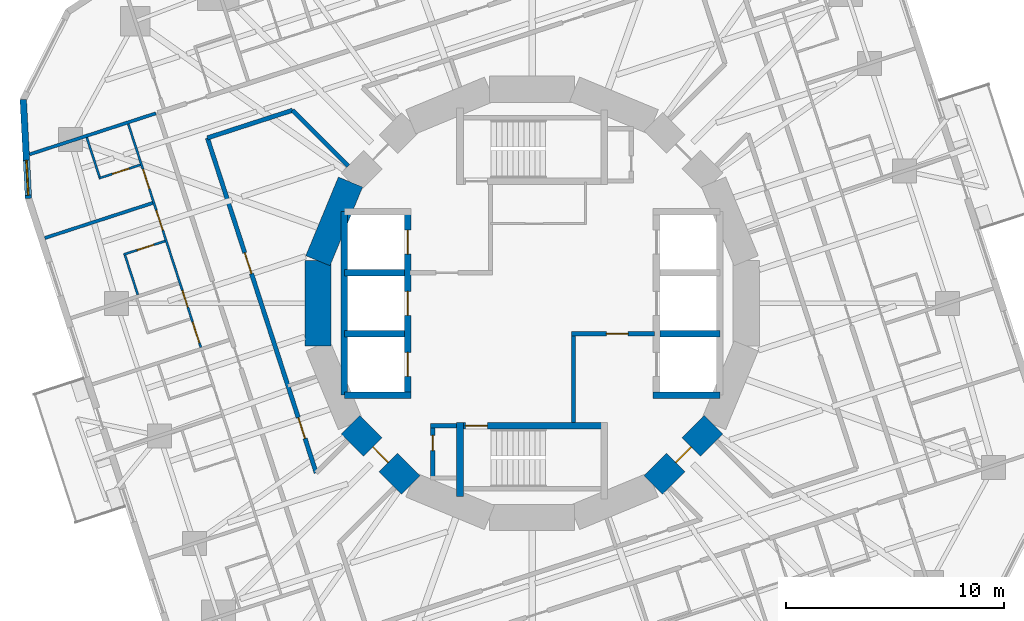
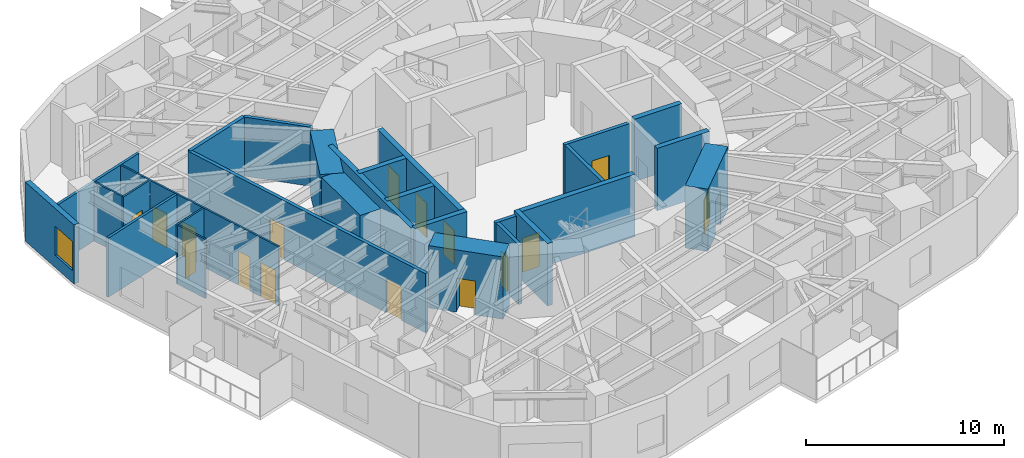
# One storey, part 6 of 13: 28 walls, 16 doors, 1 window, 17 openings.
"""IFC4 building model written with IfcOpenShell, lengths in metres."""

from ifc_helpers import new_model, si_unit, direction, frame, frame_2d, origin, place, context, subcontext, project, spatial, rectangle, extrude, material, layer, layer_set, type_object, element, fill, save


model = new_model("IFC4")

# Units and contexts
model_context = context("Model", 3, precision=1e-05, world=origin(), true_north=direction((0.0, 1.0)))
body_context = subcontext(model_context, "Body", "Model", "MODEL_VIEW")
ifc_project = project(units=[si_unit("LENGTHUNIT", "METRE"), si_unit("AREAUNIT", "SQUARE_METRE"), si_unit("VOLUMEUNIT", "CUBIC_METRE"), si_unit("PLANEANGLEUNIT", "RADIAN"), si_unit("MASSUNIT", "GRAM", prefix="KILO")], contexts=[model_context])

# Site, building, storey
site_placement = place(None, origin())
site = spatial("IfcSite", under=ifc_project, at=site_placement, CompositionType="ELEMENT")
building_placement = place(site_placement, origin())
building = spatial("IfcBuilding", under=site, at=building_placement, Name="Nakasero Lantern House", CompositionType="ELEMENT")
storey_placement = place(building_placement, frame((0.0, 0.0, 164.89990234375)))
storey = spatial("IfcBuildingStorey", under=building, at=storey_placement, Name="L40", CompositionType="ELEMENT", Elevation=164.89990234375)

# Wall, openings, doors
ifc_material_1 = material(Name="Blockwork", Category="masonry")
ifc_layer_1 = layer(ifc_material_1, 0.10009765625)
ifc_layer_set_1 = layer_set([ifc_layer_1], Name="Cluster hall wall 100")
wall_type_1 = type_object("IfcWallType", Name="Cluster hall wall 100", PredefinedType="PARTITIONING", material=ifc_layer_set_1)
wall_1_placement = place(storey_placement, frame((-18.492919921875, 8.21240234375, 0.0), z_axis=(0.0, 0.0, 1.0), x_axis=(0.309022441572, -0.951054746376, 0.0)))
wall_1 = element("IfcWall", 1, at=wall_1_placement, inside=storey, type_object=wall_type_1, Name="Cluster hall wall L40 HW2-0", PredefinedType="PARTITIONING", context=body_context, shape_type="SweptSolid", body=[
    extrude(rectangle(XDim=10.758056640625, YDim=0.10009765625, at=frame_2d((5.37890625, 0.0))), origin(), (0.0, 0.0, 1.0), 3.650146484375),
])
opening_1_placement = place(wall_1_placement, frame((9.532958984375, 0.0, 0.0)))
opening_1 = element("IfcOpeningElement", 2, at=opening_1_placement, cuts=wall_1, Name="Opening D03", PredefinedType="OPENING", context=body_context, shape_type="SweptSolid", body=[
    extrude(rectangle(XDim=1.0, YDim=2.10009765625, at=frame_2d((0.5, 1.050048828125))), frame((0.0, 0.070068359375, 0.0), z_axis=(0.0, -1.0, 0.0), x_axis=(1.0, 0.0, 0.0)), (0.0, 0.0, 1.0), 0.14013671875),
])
opening_2_placement = place(wall_1_placement, frame((8.01904296875, 0.0, 0.0)))
opening_2 = element("IfcOpeningElement", 3, at=opening_2_placement, cuts=wall_1, Name="Opening D02", PredefinedType="OPENING", context=body_context, shape_type="SweptSolid", body=[
    extrude(rectangle(XDim=0.800048828125, YDim=2.10009765625, at=frame_2d((0.39990234375, 1.050048828125))), frame((0.0, 0.070068359375, 0.0), z_axis=(0.0, -1.0, 0.0), x_axis=(1.0, 0.0, 0.0)), (0.0, 0.0, 1.0), 0.14013671875),
])
opening_3_placement = place(wall_1_placement, frame((2.175048828125, 0.0, 0.0)))
opening_3 = element("IfcOpeningElement", 4, at=opening_3_placement, cuts=wall_1, Name="Opening D01", PredefinedType="OPENING", context=body_context, shape_type="SweptSolid", body=[
    extrude(rectangle(XDim=0.949951171875, YDim=2.10009765625, at=frame_2d((0.47509765625, 1.050048828125))), frame((0.0, 0.070068359375, 0.0), z_axis=(0.0, -1.0, 0.0), x_axis=(1.0, 0.0, 0.0)), (0.0, 0.0, 1.0), 0.14013671875),
])
opening_4_placement = place(wall_1_placement, frame((4.159423828125, 0.0, 0.0)))
opening_4 = element("IfcOpeningElement", 5, at=opening_4_placement, cuts=wall_1, Name="Opening D01", PredefinedType="OPENING", context=body_context, shape_type="SweptSolid", body=[
    extrude(rectangle(XDim=0.949951171875, YDim=2.10009765625, at=frame_2d((0.47509765625, 1.050048828125))), frame((0.0, 0.070068359375, 0.0), z_axis=(0.0, -1.0, 0.0), x_axis=(1.0, 0.0, 0.0)), (0.0, 0.0, 1.0), 0.14013671875),
])
ifc_material_2 = material(Name="Timber C24", Category="wood")
door_type_1 = type_object("IfcDoorType", Name="Bedroom door FD30S 950", OperationType="SINGLE_SWING_LEFT", PredefinedType="DOOR", material=ifc_material_2)
door_1_placement = place(opening_3_placement, origin())
door_1 = element("IfcDoor", 6, at=door_1_placement, inside=storey, type_object=door_type_1, Name="Door L40 D2-00", OperationType="SINGLE_SWING_LEFT", OverallHeight=2.10009765625, OverallWidth=0.949951171875, PredefinedType="DOOR", context=body_context, shape_type="SweptSolid", body=[
    extrude(rectangle(XDim=0.949951171875, YDim=2.10009765625, at=frame_2d((0.47509765625, 1.050048828125))), frame((0.0, 0.02490234375, 0.0), z_axis=(0.0, -1.0, 0.0), x_axis=(1.0, 0.0, 0.0)), (0.0, 0.0, 1.0), 0.050048828125),
])
fill(opening_3, door_1)
door_2_placement = place(opening_4_placement, origin())
door_2 = element("IfcDoor", 7, at=door_2_placement, inside=storey, type_object=door_type_1, Name="Door L40 D2-01", OperationType="SINGLE_SWING_LEFT", OverallHeight=2.10009765625, OverallWidth=0.949951171875, PredefinedType="DOOR", context=body_context, shape_type="SweptSolid", body=[
    extrude(rectangle(XDim=0.949951171875, YDim=2.10009765625, at=frame_2d((0.47509765625, 1.050048828125))), frame((0.0, 0.02490234375, 0.0), z_axis=(0.0, -1.0, 0.0), x_axis=(1.0, 0.0, 0.0)), (0.0, 0.0, 1.0), 0.050048828125),
])
fill(opening_4, door_2)
ifc_material_3 = material(Name="Timber C24", Category="wood")
door_type_2 = type_object("IfcDoorType", Name="En-suite door 800", OperationType="SINGLE_SWING_RIGHT", PredefinedType="DOOR", material=ifc_material_3)
door_3_placement = place(opening_2_placement, origin())
door_3 = element("IfcDoor", 8, at=door_3_placement, inside=storey, type_object=door_type_2, Name="Door L40 DSH2-0", OperationType="SINGLE_SWING_RIGHT", OverallHeight=2.10009765625, OverallWidth=0.800048828125, PredefinedType="DOOR", context=body_context, shape_type="SweptSolid", body=[
    extrude(rectangle(XDim=0.800048828125, YDim=2.10009765625, at=frame_2d((0.39990234375, 1.050048828125))), frame((0.0, 0.02490234375, 0.0), z_axis=(0.0, -1.0, 0.0), x_axis=(1.0, 0.0, 0.0)), (0.0, 0.0, 1.0), 0.050048828125),
])
fill(opening_2, door_3)
ifc_material_4 = material(Name="Timber C24", Category="wood")
door_type_3 = type_object("IfcDoorType", Name="Lounge door FD30S 1000", OperationType="SINGLE_SWING_LEFT", PredefinedType="DOOR", material=ifc_material_4)
door_4_placement = place(opening_1_placement, origin())
door_4 = element("IfcDoor", 9, at=door_4_placement, inside=storey, type_object=door_type_3, Name="Door L40 DH2-0", OperationType="SINGLE_SWING_RIGHT", OverallHeight=2.10009765625, OverallWidth=1.0, PredefinedType="DOOR", context=body_context, shape_type="SweptSolid", body=[
    extrude(rectangle(XDim=1.0, YDim=2.10009765625, at=frame_2d((0.5, 1.050048828125))), frame((0.0, 0.02490234375, 0.0), z_axis=(0.0, -1.0, 0.0), x_axis=(1.0, 0.0, 0.0)), (0.0, 0.0, 1.0), 0.050048828125),
])
fill(opening_1, door_4)

ifc_material_5 = material(Name="Concrete C50/60", Category="concrete")
ifc_layer_2 = layer(ifc_material_5, 0.300048828125)
ifc_layer_set_2 = layer_set([ifc_layer_2], Name="Core inner wall 300")
wall_type_2 = type_object("IfcWallType", Name="Core inner wall 300", PredefinedType="SHEAR", material=ifc_layer_set_2)
wall_2_placement = place(storey_placement, frame((-5.699951171875, -4.199951171875, 0.0), z_axis=(0.0, 0.0, 1.0), x_axis=(0.0, 1.0, 0.0)))
wall_2 = element("IfcWall", 10, at=wall_2_placement, inside=storey, type_object=wall_type_2, Name="Core inner wall L40 LW", PredefinedType="SHEAR", context=body_context, shape_type="SweptSolid", body=[
    extrude(rectangle(XDim=8.39990234375, YDim=0.300048828125, at=frame_2d((4.199951171875, 0.0))), origin(), (0.0, 0.0, 1.0), 3.85009765625),
])
opening_5_placement = place(wall_2_placement, frame((0.85009765625, 0.0, 0.0)))
opening_5 = element("IfcOpeningElement", 11, at=opening_5_placement, cuts=wall_2, Name="Opening LD", PredefinedType="OPENING", context=body_context, shape_type="SweptSolid", body=[
    extrude(rectangle(XDim=1.10009765625, YDim=2.10009765625, at=frame_2d((0.550048828125, 1.050048828125))), frame((0.0, 0.169921875, 0.0), z_axis=(0.0, -1.0, 0.0), x_axis=(1.0, 0.0, 0.0)), (0.0, 0.0, 1.0), 0.340087890625),
])
opening_6_placement = place(wall_2_placement, frame((3.64990234375, 0.0, 0.0)))
opening_6 = element("IfcOpeningElement", 12, at=opening_6_placement, cuts=wall_2, Name="Opening LD", PredefinedType="OPENING", context=body_context, shape_type="SweptSolid", body=[
    extrude(rectangle(XDim=1.10009765625, YDim=2.10009765625, at=frame_2d((0.550048828125, 1.050048828125))), frame((0.0, 0.169921875, 0.0), z_axis=(0.0, -1.0, 0.0), x_axis=(1.0, 0.0, 0.0)), (0.0, 0.0, 1.0), 0.340087890625),
])
opening_7_placement = place(wall_2_placement, frame((6.449951171875, 0.0, 0.0)))
opening_7 = element("IfcOpeningElement", 13, at=opening_7_placement, cuts=wall_2, Name="Opening LD", PredefinedType="OPENING", context=body_context, shape_type="SweptSolid", body=[
    extrude(rectangle(XDim=1.10009765625, YDim=2.10009765625, at=frame_2d((0.550048828125, 1.050048828125))), frame((0.0, 0.169921875, 0.0), z_axis=(0.0, -1.0, 0.0), x_axis=(1.0, 0.0, 0.0)), (0.0, 0.0, 1.0), 0.340087890625),
])
ifc_material_6 = material(Name="Steel S355", Category="steel")
door_type_4 = type_object("IfcDoorType", Name="Lift landing door E120 1100", OperationType="SLIDING_TO_LEFT", PredefinedType="DOOR", material=ifc_material_6)
door_5_placement = place(opening_5_placement, origin())
door_5 = element("IfcDoor", 14, at=door_5_placement, inside=storey, type_object=door_type_4, Name="Lift landing door LW1", OperationType="SLIDING_TO_LEFT", OverallHeight=2.10009765625, OverallWidth=1.10009765625, PredefinedType="DOOR", context=body_context, shape_type="SweptSolid", body=[
    extrude(rectangle(XDim=1.10009765625, YDim=2.10009765625, at=frame_2d((0.550048828125, 1.050048828125))), frame((0.0, 0.02490234375, 0.0), z_axis=(0.0, -1.0, 0.0), x_axis=(1.0, 0.0, 0.0)), (0.0, 0.0, 1.0), 0.050048828125),
])
fill(opening_5, door_5)
door_6_placement = place(opening_6_placement, origin())
door_6 = element("IfcDoor", 15, at=door_6_placement, inside=storey, type_object=door_type_4, Name="Lift landing door LW2", OperationType="SLIDING_TO_LEFT", OverallHeight=2.10009765625, OverallWidth=1.10009765625, PredefinedType="DOOR", context=body_context, shape_type="SweptSolid", body=[
    extrude(rectangle(XDim=1.10009765625, YDim=2.10009765625, at=frame_2d((0.550048828125, 1.050048828125))), frame((0.0, 0.02490234375, 0.0), z_axis=(0.0, -1.0, 0.0), x_axis=(1.0, 0.0, 0.0)), (0.0, 0.0, 1.0), 0.050048828125),
])
fill(opening_6, door_6)
door_7_placement = place(opening_7_placement, origin())
door_7 = element("IfcDoor", 16, at=door_7_placement, inside=storey, type_object=door_type_4, Name="Lift landing door LW3", OperationType="SLIDING_TO_LEFT", OverallHeight=2.10009765625, OverallWidth=1.10009765625, PredefinedType="DOOR", context=body_context, shape_type="SweptSolid", body=[
    extrude(rectangle(XDim=1.10009765625, YDim=2.10009765625, at=frame_2d((0.550048828125, 1.050048828125))), frame((0.0, 0.02490234375, 0.0), z_axis=(0.0, -1.0, 0.0), x_axis=(1.0, 0.0, 0.0)), (0.0, 0.0, 1.0), 0.050048828125),
])
fill(opening_7, door_7)

# Walls
for number, where, z_axis, x_axis, name in (
    (17, (-8.60009765625, -4.199951171875, 0.0), (0.0, 0.0, 1.0), (1.0, 0.0, 0.0), "Core inner wall L40 LWS"),
    (18, (5.550048828125, -4.199951171875, 0.0), (0.0, 0.0, 1.0), (1.0, 0.0, 0.0), "Core inner wall L40 LES"),
):
    element("IfcWall", number, at=place(storey_placement, frame(where, z_axis=z_axis, x_axis=x_axis)), inside=storey, type_object=wall_type_2, Name=name, PredefinedType="SHEAR", context=body_context, shape_type="SweptSolid", body=[
        extrude(rectangle(XDim=3.050048828125, YDim=0.300048828125, at=frame_2d((1.52490234375, 0.0))), origin(), (0.0, 0.0, 1.0), 3.85009765625),
    ])
wall_3_placement = place(storey_placement, frame((-8.60009765625, -4.199951171875, 0.0), z_axis=(0.0, 0.0, 1.0), x_axis=(0.0, 1.0, 0.0)))
element("IfcWall", 19, at=wall_3_placement, inside=storey, type_object=wall_type_2, Name="Core inner wall L40 LWB", PredefinedType="SHEAR", context=body_context, shape_type="SweptSolid", body=[
    extrude(rectangle(XDim=8.39990234375, YDim=0.300048828125, at=frame_2d((4.199951171875, 0.0))), origin(), (0.0, 0.0, 1.0), 3.85009765625),
])
for number, where, z_axis, x_axis, name in (
    (20, (-8.60009765625, -1.39990234375, 0.0), (0.0, 0.0, 1.0), (1.0, 0.0, 0.0), "Core inner wall L40 LW1"),
    (21, (-8.60009765625, 1.39990234375, 0.0), (0.0, 0.0, 1.0), (1.0, 0.0, 0.0), "Core inner wall L40 LW2"),
    (22, (5.85009765625, -1.39990234375, 0.0), (0.0, 0.0, 1.0), (1.0, 0.0, 0.0), "Core inner wall L40 LE1"),
):
    element("IfcWall", number, at=place(storey_placement, frame(where, z_axis=z_axis, x_axis=x_axis)), inside=storey, type_object=wall_type_2, Name=name, PredefinedType="SHEAR", context=body_context, shape_type="SweptSolid", body=[
        extrude(rectangle(XDim=2.75, YDim=0.300048828125, at=frame_2d((1.375, 0.0))), origin(), (0.0, 0.0, 1.0), 3.85009765625),
    ])

# Wall, opening, door
wall_4_placement = place(storey_placement, frame((-3.449951171875, -5.60009765625, 0.0), z_axis=(0.0, 0.0, 1.0), x_axis=(1.0, 0.0, 0.0)))
wall_4 = element("IfcWall", 23, at=wall_4_placement, inside=storey, type_object=wall_type_2, Name="Core inner wall L40 SS", PredefinedType="SHEAR", context=body_context, shape_type="SweptSolid", body=[
    extrude(rectangle(XDim=6.89990234375, YDim=0.300048828125, at=frame_2d((3.449951171875, 0.0))), origin(), (0.0, 0.0, 1.0), 3.85009765625),
])
opening_8_placement = place(wall_4_placement, frame((0.39990234375, 0.0, 0.0)))
opening_8 = element("IfcOpeningElement", 24, at=opening_8_placement, cuts=wall_4, Name="Opening D05", PredefinedType="OPENING", context=body_context, shape_type="SweptSolid", body=[
    extrude(rectangle(XDim=1.0, YDim=2.10009765625, at=frame_2d((0.5, 1.050048828125))), frame((0.0, 0.169921875, 0.0), z_axis=(0.0, -1.0, 0.0), x_axis=(1.0, 0.0, 0.0)), (0.0, 0.0, 1.0), 0.340087890625),
])
ifc_material_7 = material(Name="Timber C24", Category="wood")
door_type_5 = type_object("IfcDoorType", Name="Core door FD60S 1000", OperationType="SINGLE_SWING_LEFT", PredefinedType="DOOR", material=ifc_material_7)
door_8_placement = place(opening_8_placement, origin())
door_8 = element("IfcDoor", 25, at=door_8_placement, inside=storey, type_object=door_type_5, Name="Door L40 D-ST2", OperationType="SINGLE_SWING_LEFT", OverallHeight=2.10009765625, OverallWidth=1.0, PredefinedType="DOOR", context=body_context, shape_type="SweptSolid", body=[
    extrude(rectangle(XDim=1.0, YDim=2.10009765625, at=frame_2d((0.5, 1.050048828125))), frame((0.0, 0.02490234375, 0.0), z_axis=(0.0, -1.0, 0.0), x_axis=(1.0, 0.0, 0.0)), (0.0, 0.0, 1.0), 0.050048828125),
])
fill(opening_8, door_8)

# Walls
wall_5_placement = place(storey_placement, frame((-3.300048828125, -5.449951171875, 0.0), z_axis=(0.0, 0.0, 1.0), x_axis=(0.0, -1.0, 0.0)))
element("IfcWall", 26, at=wall_5_placement, inside=storey, type_object=wall_type_2, Name="Core inner wall L40 SSW", PredefinedType="SHEAR", context=body_context, shape_type="SweptSolid", body=[
    extrude(rectangle(XDim=3.400146484375, YDim=0.300048828125, at=frame_2d((1.7001953125, 0.0))), origin(), (0.0, 0.0, 1.0), 3.85009765625),
])
ifc_material_8 = material(Name="Concrete C50/60", Category="concrete")
ifc_layer_3 = layer(ifc_material_8, 1.199951171875)
ifc_layer_set_3 = layer_set([ifc_layer_3], Name="Core wall 1200")
wall_type_3 = type_object("IfcWallType", Name="Core wall 1200", PredefinedType="SHEAR", material=ifc_layer_set_3)
for number, where, z_axis, x_axis, name in (
    (27, (-8.314697265625, 5.5556640625, 0.0), (0.0, 0.0, 1.0), (-0.382690736062, -0.923876507187, 0.0), "Core wall L40 facet 7"),
    (28, (-9.807861328125, 1.950927734375, 0.0), (0.0, 0.0, 1.0), (0.0, -1.0, 0.0), "Core wall L40 facet 8"),
):
    element("IfcWall", number, at=place(storey_placement, frame(where, z_axis=z_axis, x_axis=x_axis)), inside=storey, type_object=wall_type_3, Name=name, PredefinedType="SHEAR", context=body_context, shape_type="SweptSolid", body=[
        extrude(rectangle(XDim=3.90185546875, YDim=1.199951171875, at=frame_2d((1.950927734375, 0.0))), origin(), (0.0, 0.0, 1.0), 3.85009765625),
    ])

# Wall, opening, door
wall_6_placement = place(storey_placement, frame((-8.314697265625, -5.5556640625, 0.0), z_axis=(0.0, 0.0, 1.0), x_axis=(0.707106781187, -0.707106781187, 0.0)))
wall_6 = element("IfcWall", 29, at=wall_6_placement, inside=storey, type_object=wall_type_3, Name="Core wall L40 facet 10", PredefinedType="SHEAR", context=body_context, shape_type="SweptSolid", body=[
    extrude(rectangle(XDim=3.90185546875, YDim=1.199951171875, at=frame_2d((1.950927734375, 0.0))), origin(), (0.0, 0.0, 1.0), 3.85009765625),
])
opening_9_placement = place(wall_6_placement, frame((1.450927734375, 0.0, 0.0)))
opening_9 = element("IfcOpeningElement", 30, at=opening_9_placement, cuts=wall_6, Name="Opening D05", PredefinedType="OPENING", context=body_context, shape_type="SweptSolid", body=[
    extrude(rectangle(XDim=1.0, YDim=2.10009765625, at=frame_2d((0.5, 1.050048828125))), frame((0.0, 0.619873046875, 0.0), z_axis=(0.0, -1.0, 0.0), x_axis=(1.0, 0.0, 0.0)), (0.0, 0.0, 1.0), 1.239990234375),
])
door_9_placement = place(opening_9_placement, origin())
door_9 = element("IfcDoor", 31, at=door_9_placement, inside=storey, type_object=door_type_5, Name="Door L40 D-CORE10", OperationType="SINGLE_SWING_LEFT", OverallHeight=2.10009765625, OverallWidth=1.0, PredefinedType="DOOR", context=body_context, shape_type="SweptSolid", body=[
    extrude(rectangle(XDim=1.0, YDim=2.10009765625, at=frame_2d((0.5, 1.050048828125))), frame((0.0, 0.02490234375, 0.0), z_axis=(0.0, -1.0, 0.0), x_axis=(1.0, 0.0, 0.0)), (0.0, 0.0, 1.0), 0.050048828125),
])
fill(opening_9, door_9)

wall_7_placement = place(storey_placement, frame((5.5556640625, -8.314697265625, 0.0), z_axis=(0.0, 0.0, 1.0), x_axis=(0.707106781187, 0.707106781187, 0.0)))
wall_7 = element("IfcWall", 32, at=wall_7_placement, inside=storey, type_object=wall_type_3, Name="Core wall L40 facet 14", PredefinedType="SHEAR", context=body_context, shape_type="SweptSolid", body=[
    extrude(rectangle(XDim=3.90185546875, YDim=1.199951171875, at=frame_2d((1.950927734375, 0.0))), origin(), (0.0, 0.0, 1.0), 3.85009765625),
])
opening_10_placement = place(wall_7_placement, frame((1.450927734375, 0.0, 0.0)))
opening_10 = element("IfcOpeningElement", 33, at=opening_10_placement, cuts=wall_7, Name="Opening D05", PredefinedType="OPENING", context=body_context, shape_type="SweptSolid", body=[
    extrude(rectangle(XDim=1.0, YDim=2.10009765625, at=frame_2d((0.5, 1.050048828125))), frame((0.0, 0.619873046875, 0.0), z_axis=(0.0, -1.0, 0.0), x_axis=(1.0, 0.0, 0.0)), (0.0, 0.0, 1.0), 1.239990234375),
])
door_10_placement = place(opening_10_placement, origin())
door_10 = element("IfcDoor", 34, at=door_10_placement, inside=storey, type_object=door_type_5, Name="Door L40 D-CORE14", OperationType="SINGLE_SWING_LEFT", OverallHeight=2.10009765625, OverallWidth=1.0, PredefinedType="DOOR", context=body_context, shape_type="SweptSolid", body=[
    extrude(rectangle(XDim=1.0, YDim=2.10009765625, at=frame_2d((0.5, 1.050048828125))), frame((0.0, 0.02490234375, 0.0), z_axis=(0.0, -1.0, 0.0), x_axis=(1.0, 0.0, 0.0)), (0.0, 0.0, 1.0), 0.050048828125),
])
fill(opening_10, door_10)

# Wall
ifc_material_9 = material(Name="Blockwork", Category="masonry")
ifc_layer_4 = layer(ifc_material_9, 0.199951171875)
ifc_layer_set_4 = layer_set([ifc_layer_4], Name="Corridor wall 200")
wall_type_4 = type_object("IfcWallType", Name="Corridor wall 200", PredefinedType="PARTITIONING", material=ifc_layer_set_4)
wall_8_placement = place(storey_placement, frame((-10.965576171875, 8.84423828125, 0.0), z_axis=(0.0, 0.0, 1.0), x_axis=(-0.951070782935, -0.308973082722, 0.0)))
element("IfcWall", 35, at=wall_8_placement, inside=storey, type_object=wall_type_4, Name="Corridor wall L40 IW1-1", PredefinedType="PARTITIONING", context=body_context, shape_type="SweptSolid", body=[
    extrude(rectangle(XDim=4.104248046875, YDim=0.199951171875, at=frame_2d((2.05224609375, 0.0))), origin(), (0.0, 0.0, 1.0), 3.650146484375),
])

# Wall, openings, doors
wall_9_placement = place(storey_placement, frame((-14.868896484375, 7.576171875, 0.0), z_axis=(0.0, 0.0, 1.0), x_axis=(0.309016591385, -0.951056647235, 0.0)))
wall_9 = element("IfcWall", 36, at=wall_9_placement, inside=storey, type_object=wall_type_4, Name="Corridor wall L40 IW2-0", PredefinedType="PARTITIONING", context=body_context, shape_type="SweptSolid", body=[
    extrude(rectangle(XDim=16.12890625, YDim=0.199951171875, at=frame_2d((8.064453125, 0.0))), origin(), (0.0, 0.0, 1.0), 3.650146484375),
])
opening_11_placement = place(wall_9_placement, frame((13.471923828125, 0.0, 0.0)))
opening_11 = element("IfcOpeningElement", 37, at=opening_11_placement, cuts=wall_9, Name="Opening D07", PredefinedType="OPENING", context=body_context, shape_type="SweptSolid", body=[
    extrude(rectangle(XDim=1.0, YDim=2.10009765625, at=frame_2d((0.5, 1.050048828125))), frame((0.0, 0.119873046875, 0.0), z_axis=(0.0, -1.0, 0.0), x_axis=(1.0, 0.0, 0.0)), (0.0, 0.0, 1.0), 0.239990234375),
])
opening_12_placement = place(wall_9_placement, frame((5.532470703125, 0.0, 0.0)))
opening_12 = element("IfcOpeningElement", 38, at=opening_12_placement, cuts=wall_9, Name="Opening D07", PredefinedType="OPENING", context=body_context, shape_type="SweptSolid", body=[
    extrude(rectangle(XDim=1.0, YDim=2.10009765625, at=frame_2d((0.5, 1.050048828125))), frame((0.0, 0.119873046875, 0.0), z_axis=(0.0, -1.0, 0.0), x_axis=(1.0, 0.0, 0.0)), (0.0, 0.0, 1.0), 0.239990234375),
])
ifc_material_10 = material(Name="Timber C24", Category="wood")
door_type_6 = type_object("IfcDoorType", Name="Room door FD30S 1000", OperationType="SINGLE_SWING_LEFT", PredefinedType="DOOR", material=ifc_material_10)
door_11_placement = place(opening_11_placement, origin())
door_11 = element("IfcDoor", 39, at=door_11_placement, inside=storey, type_object=door_type_6, Name="Door L40 DI1", OperationType="SINGLE_SWING_RIGHT", OverallHeight=2.10009765625, OverallWidth=1.0, PredefinedType="DOOR", context=body_context, shape_type="SweptSolid", body=[
    extrude(rectangle(XDim=1.0, YDim=2.10009765625, at=frame_2d((0.5, 1.050048828125))), frame((0.0, 0.02490234375, 0.0), z_axis=(0.0, -1.0, 0.0), x_axis=(1.0, 0.0, 0.0)), (0.0, 0.0, 1.0), 0.050048828125),
])
fill(opening_11, door_11)
door_12_placement = place(opening_12_placement, origin())
door_12 = element("IfcDoor", 40, at=door_12_placement, inside=storey, type_object=door_type_6, Name="Door L40 DI8", OperationType="SINGLE_SWING_LEFT", OverallHeight=2.10009765625, OverallWidth=1.0, PredefinedType="DOOR", context=body_context, shape_type="SweptSolid", body=[
    extrude(rectangle(XDim=1.0, YDim=2.10009765625, at=frame_2d((0.5, 1.050048828125))), frame((0.0, 0.02490234375, 0.0), z_axis=(0.0, -1.0, 0.0), x_axis=(1.0, 0.0, 0.0)), (0.0, 0.0, 1.0), 0.050048828125),
])
fill(opening_12, door_12)

# Wall
wall_10_placement = place(storey_placement, frame((-8.420166015625, 6.298828125, 0.0), z_axis=(0.0, 0.0, 1.0), x_axis=(-0.707106781187, 0.707106781187, 0.0)))
element("IfcWall", 41, at=wall_10_placement, inside=storey, type_object=wall_type_4, Name="Corridor wall L40 PS06a", PredefinedType="PARTITIONING", context=body_context, shape_type="SweptSolid", body=[
    extrude(rectangle(XDim=3.599853515625, YDim=0.199951171875, at=frame_2d((1.7998046875, 0.0))), origin(), (0.0, 0.0, 1.0), 3.650146484375),
])

# Wall, opening, door
ifc_material_11 = material(Name="Blockwork", Category="masonry")
ifc_layer_5 = layer(ifc_material_11, 0.10009765625)
ifc_layer_set_5 = layer_set([ifc_layer_5], Name="En-suite wall 100")
wall_type_5 = type_object("IfcWallType", Name="En-suite wall 100", PredefinedType="PARTITIONING", material=ifc_layer_set_5)
wall_11_placement = place(storey_placement, frame((-17.937744140625, 6.34228515625, 0.0), z_axis=(0.0, 0.0, 1.0), x_axis=(-0.951072636193, -0.308967378027, 0.0)))
wall_11 = element("IfcWall", 42, at=wall_11_placement, inside=storey, type_object=wall_type_5, Name="En-suite wall L40 ES2-00", PredefinedType="PARTITIONING", context=body_context, shape_type="SweptSolid", body=[
    extrude(rectangle(XDim=2.0, YDim=0.10009765625, at=frame_2d((1.0, 0.0))), origin(), (0.0, 0.0, 1.0), 3.650146484375),
])
opening_13_placement = place(wall_11_placement, frame((0.550048828125, 0.0, 0.0)))
opening_13 = element("IfcOpeningElement", 43, at=opening_13_placement, cuts=wall_11, Name="Opening D02", PredefinedType="OPENING", context=body_context, shape_type="SweptSolid", body=[
    extrude(rectangle(XDim=0.800048828125, YDim=2.10009765625, at=frame_2d((0.39990234375, 1.050048828125))), frame((0.0, 0.070068359375, 0.0), z_axis=(0.0, -1.0, 0.0), x_axis=(1.0, 0.0, 0.0)), (0.0, 0.0, 1.0), 0.14013671875),
])
door_13_placement = place(opening_13_placement, origin())
door_13 = element("IfcDoor", 44, at=door_13_placement, inside=storey, type_object=door_type_2, Name="Door L40 DE2-00", OperationType="SINGLE_SWING_LEFT", OverallHeight=2.10009765625, OverallWidth=0.800048828125, PredefinedType="DOOR", context=body_context, shape_type="SweptSolid", body=[
    extrude(rectangle(XDim=0.800048828125, YDim=2.10009765625, at=frame_2d((0.39990234375, 1.050048828125))), frame((0.0, 0.02490234375, 0.0), z_axis=(0.0, -1.0, 0.0), x_axis=(1.0, 0.0, 0.0)), (0.0, 0.0, 1.0), 0.050048828125),
])
fill(opening_13, door_13)

# Wall
wall_12_placement = place(storey_placement, frame((-20.39501953125, 7.59423828125, 0.0), z_axis=(0.0, 0.0, 1.0), x_axis=(0.309048298632, -0.951046344356, 0.0)))
element("IfcWall", 45, at=wall_12_placement, inside=storey, type_object=wall_type_5, Name="En-suite wall L40 EE2-00", PredefinedType="PARTITIONING", context=body_context, shape_type="SweptSolid", body=[
    extrude(rectangle(XDim=1.89990234375, YDim=0.10009765625, at=frame_2d((0.949951171875, 0.0))), origin(), (0.0, 0.0, 1.0), 3.650146484375),
])

# Wall, opening, door
wall_13_placement = place(storey_placement, frame((-16.803955078125, 2.85302734375, 0.0), z_axis=(0.0, 0.0, 1.0), x_axis=(-0.951036759863, -0.309077791808, 0.0)))
wall_13 = element("IfcWall", 46, at=wall_13_placement, inside=storey, type_object=wall_type_5, Name="En-suite wall L40 ES2-01", PredefinedType="PARTITIONING", context=body_context, shape_type="SweptSolid", body=[
    extrude(rectangle(XDim=2.0, YDim=0.10009765625, at=frame_2d((1.0, 0.0))), origin(), (0.0, 0.0, 1.0), 3.650146484375),
])
opening_14_placement = place(wall_13_placement, frame((0.550048828125, 0.0, 0.0)))
opening_14 = element("IfcOpeningElement", 47, at=opening_14_placement, cuts=wall_13, Name="Opening D02", PredefinedType="OPENING", context=body_context, shape_type="SweptSolid", body=[
    extrude(rectangle(XDim=0.800048828125, YDim=2.10009765625, at=frame_2d((0.39990234375, 1.050048828125))), frame((0.0, 0.070068359375, 0.0), z_axis=(0.0, -1.0, 0.0), x_axis=(1.0, 0.0, 0.0)), (0.0, 0.0, 1.0), 0.14013671875),
])
door_14_placement = place(opening_14_placement, origin())
door_14 = element("IfcDoor", 48, at=door_14_placement, inside=storey, type_object=door_type_2, Name="Door L40 DE2-01", OperationType="SINGLE_SWING_LEFT", OverallHeight=2.10009765625, OverallWidth=0.800048828125, PredefinedType="DOOR", context=body_context, shape_type="SweptSolid", body=[
    extrude(rectangle(XDim=0.800048828125, YDim=2.10009765625, at=frame_2d((0.39990234375, 1.050048828125))), frame((0.0, 0.02490234375, 0.0), z_axis=(0.0, -1.0, 0.0), x_axis=(1.0, 0.0, 0.0)), (0.0, 0.0, 1.0), 0.050048828125),
])
fill(opening_14, door_14)

# Wall
wall_14_placement = place(storey_placement, frame((-18.64306640625, 2.202880859375, 0.0), z_axis=(0.0, 0.0, 1.0), x_axis=(0.308894308917, -0.951096370469, 0.0)))
element("IfcWall", 49, at=wall_14_placement, inside=storey, type_object=wall_type_5, Name="En-suite wall L40 EE2-01", PredefinedType="PARTITIONING", context=body_context, shape_type="SweptSolid", body=[
    extrude(rectangle(XDim=1.900146484375, YDim=0.10009765625, at=frame_2d((0.9501953125, 0.0))), origin(), (0.0, 0.0, 1.0), 3.650146484375),
])

# Wall, opening, window
ifc_material_12 = material(Name="Aluminium rainscreen on blockwork", Category="masonry")
ifc_layer_6 = layer(ifc_material_12, 0.300048828125)
ifc_layer_set_6 = layer_set([ifc_layer_6], Name="Facade wall 300")
wall_type_6 = type_object("IfcWallType", Name="Facade wall 300", PredefinedType="SOLIDWALL", material=ifc_layer_set_6)
wall_15_placement = place(storey_placement, frame((-23.3017578125, 9.3310546875, 0.0), z_axis=(0.0, 0.0, 1.0), x_axis=(0.052338164079, -0.998629419044, 0.0)))
wall_15 = element("IfcWall", 50, at=wall_15_placement, inside=storey, type_object=wall_type_6, Name="Facade wall L40 FW1C3", PredefinedType="SOLIDWALL", context=body_context, shape_type="SweptSolid", body=[
    extrude(rectangle(XDim=4.529296875, YDim=0.300048828125, at=frame_2d((2.2646484375, 0.0))), origin(), (0.0, 0.0, 1.0), 3.650146484375),
])
opening_15_placement = place(wall_15_placement, frame((2.784912109375, 0.0, 0.75)))
opening_15 = element("IfcOpeningElement", 51, at=opening_15_placement, cuts=wall_15, Name="Opening W01", PredefinedType="OPENING", context=body_context, shape_type="SweptSolid", body=[
    extrude(rectangle(XDim=1.60009765625, YDim=1.800048828125, at=frame_2d((0.800048828125, 0.89990234375))), frame((0.0, 0.169921875, 0.0), z_axis=(0.0, -1.0, 0.0), x_axis=(1.0, 0.0, 0.0)), (0.0, 0.0, 1.0), 0.340087890625),
])
ifc_material_13 = material(Name="Aluminium 6063-T6 and glass", Category="aluminium")
window_type = type_object("IfcWindowType", Name="Bedroom window 1600x1800", PartitioningType="SINGLE_PANEL", PredefinedType="WINDOW", material=ifc_material_13)
window_placement = place(opening_15_placement, origin())
window = element("IfcWindow", 52, at=window_placement, inside=storey, type_object=window_type, Name="Window L40 WN2-00", OverallHeight=1.800048828125, OverallWidth=1.60009765625, PartitioningType="SINGLE_PANEL", PredefinedType="WINDOW", context=body_context, shape_type="SweptSolid", body=[
    extrude(rectangle(XDim=1.60009765625, YDim=1.800048828125, at=frame_2d((0.800048828125, 0.89990234375))), frame((0.0, 0.030029296875, 0.0), z_axis=(0.0, -1.0, 0.0), x_axis=(1.0, 0.0, 0.0)), (0.0, 0.0, 1.0), 0.06005859375),
])
fill(opening_15, window)

# Wall, opening, door
ifc_material_14 = material(Name="Blockwork", Category="masonry")
ifc_layer_7 = layer(ifc_material_14, 0.199951171875)
ifc_layer_set_7 = layer_set([ifc_layer_7], Name="Fire lobby wall 200")
wall_type_7 = type_object("IfcWallType", Name="Fire lobby wall 200", PredefinedType="PARTITIONING", material=ifc_layer_set_7)
wall_16_placement = place(storey_placement, frame((5.60009765625, -1.39990234375, 0.0), z_axis=(0.0, 0.0, 1.0), x_axis=(-1.0, 0.0, 0.0)))
wall_16 = element("IfcWall", 53, at=wall_16_placement, inside=storey, type_object=wall_type_7, Name="Fire lobby wall L40 W-FL2N", PredefinedType="PARTITIONING", context=body_context, shape_type="SweptSolid", body=[
    extrude(rectangle(XDim=3.800048828125, YDim=0.199951171875, at=frame_2d((1.89990234375, 0.0))), origin(), (0.0, 0.0, 1.0), 3.650146484375),
])
opening_16_placement = place(wall_16_placement, frame((1.199951171875, 0.0, 0.0)))
opening_16 = element("IfcOpeningElement", 54, at=opening_16_placement, cuts=wall_16, Name="Opening D05", PredefinedType="OPENING", context=body_context, shape_type="SweptSolid", body=[
    extrude(rectangle(XDim=1.0, YDim=2.10009765625, at=frame_2d((0.5, 1.050048828125))), frame((0.0, 0.119873046875, 0.0), z_axis=(0.0, -1.0, 0.0), x_axis=(1.0, 0.0, 0.0)), (0.0, 0.0, 1.0), 0.239990234375),
])
door_15_placement = place(opening_16_placement, origin())
door_15 = element("IfcDoor", 55, at=door_15_placement, inside=storey, type_object=door_type_5, Name="Door L40 D-FL2", OperationType="SINGLE_SWING_LEFT", OverallHeight=2.10009765625, OverallWidth=1.0, PredefinedType="DOOR", context=body_context, shape_type="SweptSolid", body=[
    extrude(rectangle(XDim=1.0, YDim=2.10009765625, at=frame_2d((0.5, 1.050048828125))), frame((0.0, 0.02490234375, 0.0), z_axis=(0.0, -1.0, 0.0), x_axis=(1.0, 0.0, 0.0)), (0.0, 0.0, 1.0), 0.050048828125),
])
fill(opening_16, door_15)

# Wall
wall_17_placement = place(storey_placement, frame((1.89990234375, -1.5, 0.0), z_axis=(0.0, 0.0, 1.0), x_axis=(0.0, -1.0, 0.0)))
element("IfcWall", 56, at=wall_17_placement, inside=storey, type_object=wall_type_7, Name="Fire lobby wall L40 W-FL2W", PredefinedType="PARTITIONING", context=body_context, shape_type="SweptSolid", body=[
    extrude(rectangle(XDim=3.949951171875, YDim=0.199951171875, at=frame_2d((1.97509765625, 0.0))), origin(), (0.0, 0.0, 1.0), 3.650146484375),
])

# Wall, opening, door
wall_18_placement = place(storey_placement, frame((-4.550048828125, -5.60009765625, 0.0), z_axis=(0.0, 0.0, 1.0), x_axis=(0.0, -1.0, 0.0)))
wall_18 = element("IfcWall", 57, at=wall_18_placement, inside=storey, type_object=wall_type_7, Name="Fire lobby wall L40 W-RS2W", PredefinedType="PARTITIONING", context=body_context, shape_type="SweptSolid", body=[
    extrude(rectangle(XDim=2.39990234375, YDim=0.199951171875, at=frame_2d((1.199951171875, 0.0))), origin(), (0.0, 0.0, 1.0), 3.650146484375),
])
opening_17_placement = place(wall_18_placement, frame((0.449951171875, 0.0, 0.0)))
opening_17 = element("IfcOpeningElement", 58, at=opening_17_placement, cuts=wall_18, Name="Opening D06", PredefinedType="OPENING", context=body_context, shape_type="SweptSolid", body=[
    extrude(rectangle(XDim=0.699951171875, YDim=2.10009765625, at=frame_2d((0.35009765625, 1.050048828125))), frame((0.0, 0.119873046875, 0.0), z_axis=(0.0, -1.0, 0.0), x_axis=(1.0, 0.0, 0.0)), (0.0, 0.0, 1.0), 0.239990234375),
])
ifc_material_15 = material(Name="Steel S355", Category="steel")
door_type_7 = type_object("IfcDoorType", Name="Riser door FD60 700", OperationType="SINGLE_SWING_LEFT", PredefinedType="DOOR", material=ifc_material_15)
door_16_placement = place(opening_17_placement, origin())
door_16 = element("IfcDoor", 59, at=door_16_placement, inside=storey, type_object=door_type_7, Name="Door L40 D-RS2", OperationType="SINGLE_SWING_LEFT", OverallHeight=2.10009765625, OverallWidth=0.699951171875, PredefinedType="DOOR", context=body_context, shape_type="SweptSolid", body=[
    extrude(rectangle(XDim=0.699951171875, YDim=2.10009765625, at=frame_2d((0.35009765625, 1.050048828125))), frame((0.0, 0.02490234375, 0.0), z_axis=(0.0, -1.0, 0.0), x_axis=(1.0, 0.0, 0.0)), (0.0, 0.0, 1.0), 0.050048828125),
])
fill(opening_17, door_16)

# Walls
wall_19_placement = place(storey_placement, frame((-3.449951171875, -5.60009765625, 0.0), z_axis=(0.0, 0.0, 1.0), x_axis=(-1.0, 0.0, 0.0)))
element("IfcWall", 60, at=wall_19_placement, inside=storey, type_object=wall_type_7, Name="Fire lobby wall L40 W-RS2N", PredefinedType="PARTITIONING", context=body_context, shape_type="SweptSolid", body=[
    extrude(rectangle(XDim=1.199951171875, YDim=0.199951171875, at=frame_2d((0.60009765625, 0.0))), origin(), (0.0, 0.0, 1.0), 3.650146484375),
])
ifc_material_16 = material(Name="Blockwork", Category="masonry")
ifc_layer_8 = layer(ifc_material_16, 0.14990234375)
ifc_layer_set_8 = layer_set([ifc_layer_8], Name="Party wall 150")
wall_type_8 = type_object("IfcWallType", Name="Party wall 150", PredefinedType="PARTITIONING", material=ifc_layer_set_8)
wall_20_placement = place(storey_placement, frame((-17.232177734375, 8.700927734375, 0.0), z_axis=(0.0, 0.0, 1.0), x_axis=(-0.951057081836, -0.309015253813, 0.0)))
element("IfcWall", 61, at=wall_20_placement, inside=storey, type_object=wall_type_8, Name="Party wall L40 PW2-00", PredefinedType="PARTITIONING", context=body_context, shape_type="SweptSolid", body=[
    extrude(rectangle(XDim=6.080322265625, YDim=0.14990234375, at=frame_2d((3.0400390625, 0.0))), origin(), (0.0, 0.0, 1.0), 3.650146484375),
])
wall_21_placement = place(storey_placement, frame((-17.370849609375, 4.59765625, 0.0), z_axis=(0.0, 0.0, 1.0), x_axis=(-0.951055112834, -0.309021313752, 0.0)))
element("IfcWall", 62, at=wall_21_placement, inside=storey, type_object=wall_type_8, Name="Party wall L40 PW2-01", PredefinedType="PARTITIONING", context=body_context, shape_type="SweptSolid", body=[
    extrude(rectangle(XDim=5.2001953125, YDim=0.14990234375, at=frame_2d((2.60009765625, 0.0))), origin(), (0.0, 0.0, 1.0), 3.650146484375),
])

save(model, "model.ifc")
